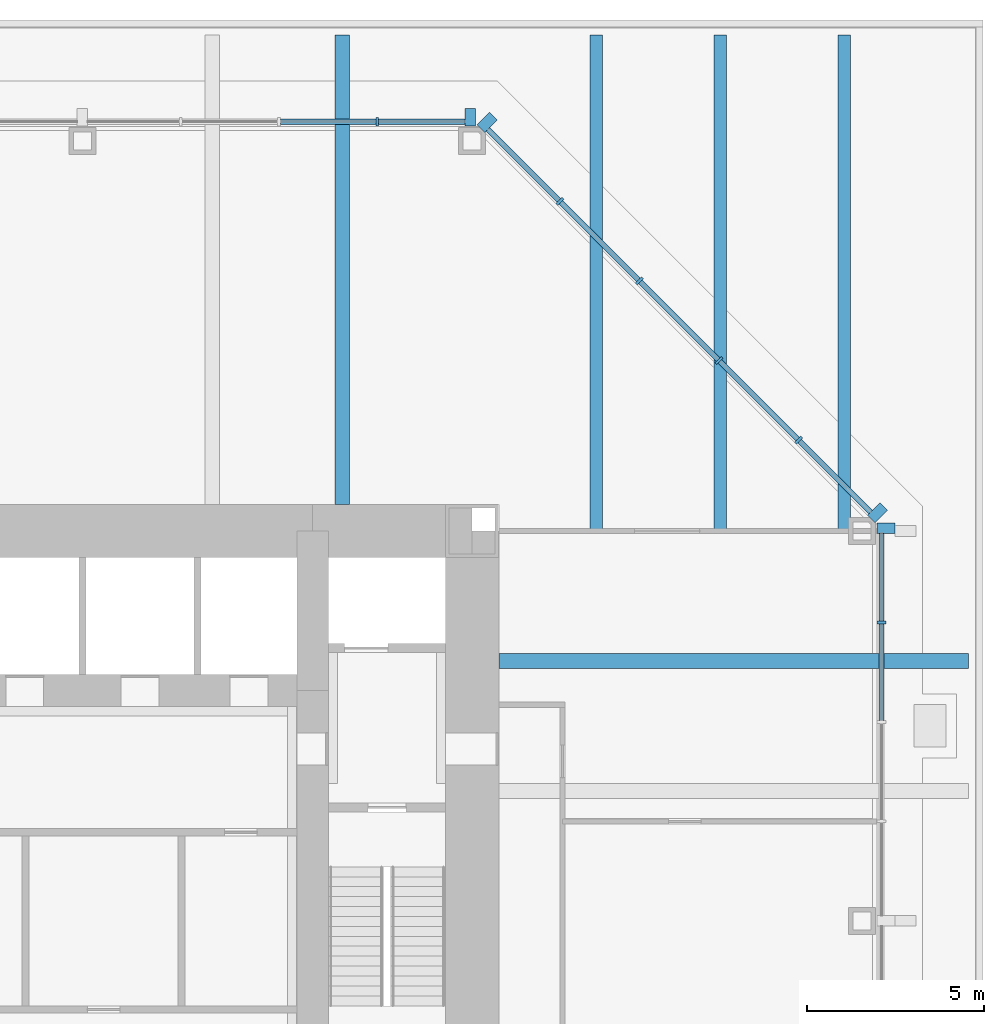
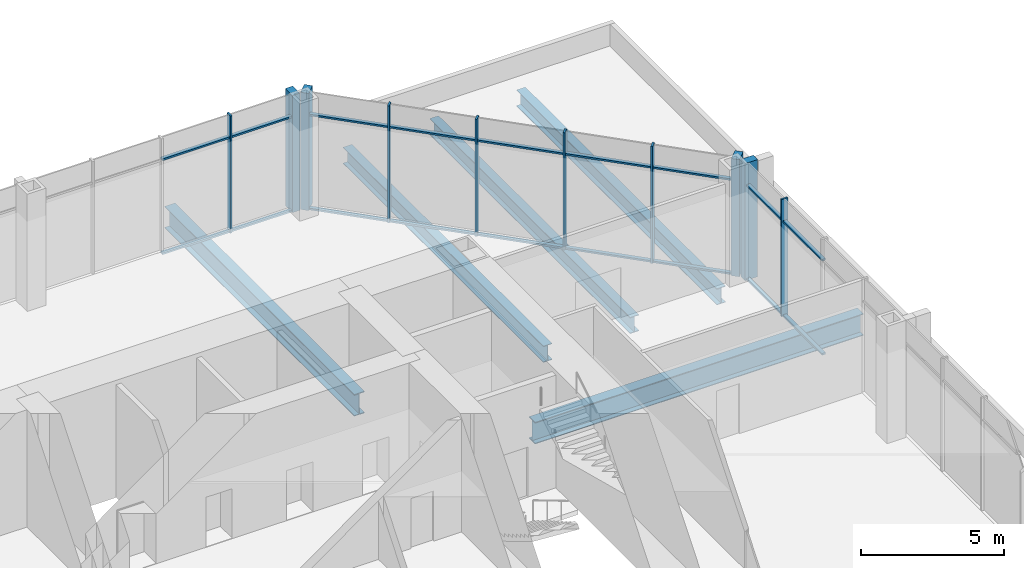
# One storey, part 5 of 11: 28 members, 5 beams, 3 elements without a shape of their own.
"""IFC4 building model written with IfcOpenShell, lengths in metres."""

from ifc_helpers import new_model, si_unit, direction, frame, origin, origin_2d, place, context, subcontext, project, spatial, rectangle, i_section, extrude, material, material_profile, profile_set, type_object, element, aggregate, save


model = new_model("IFC4")

# Units and contexts
model_context = context("Model", 3, precision=1e-05, world=origin(), true_north=direction((0.0, 1.0)))
body_context = subcontext(model_context, "Body", "Model", "MODEL_VIEW")
ifc_project = project(units=[si_unit("LENGTHUNIT", "METRE"), si_unit("AREAUNIT", "SQUARE_METRE"), si_unit("VOLUMEUNIT", "CUBIC_METRE"), si_unit("PLANEANGLEUNIT", "RADIAN"), si_unit("MASSUNIT", "GRAM", prefix="KILO")], contexts=[model_context])

# Site, building, storey
site_placement = place(None, origin())
site = spatial("IfcSite", under=ifc_project, at=site_placement, CompositionType="ELEMENT")
building_placement = place(site_placement, origin())
building = spatial("IfcBuilding", under=site, at=building_placement, Name="Trevanion Tower", CompositionType="ELEMENT")
storey_placement = place(building_placement, frame((0.0, 0.0, 95.800048828125)))
storey = spatial("IfcBuildingStorey", under=building, at=storey_placement, Name="L22", CompositionType="ELEMENT", Elevation=95.800048828125)

# Beams
ifc_material_1 = material(Name="Steel ASTM A992 Grade 50", Category="steel")
ifc_material_profile_1 = material_profile(ifc_material_1, i_section(OverallWidth=0.419189453125, OverallDepth=0.927001953125, WebThickness=0.019287109375, FlangeThickness=0.031982421875, at=origin_2d()), Name="W36X231")
ifc_profile_set_1 = profile_set([ifc_material_profile_1], Name="Steel ASTM A992 Grade 50")
beam_type_1 = type_object("IfcBeamType", Name="B5 W36X231", PredefinedType="BEAM", material=ifc_profile_set_1)
for number, where, z_axis, x_axis, name in (
    (1, (11.75, 7.333251953125, -0.653564453125), (1.0, 0.0, 0.0), (0.0, 1.0, 0.0), "B5 L22"),
    (2, (7.333251953125, 11.75, -0.653564453125), (0.0, 1.0, 0.0), (-1.0, 0.0, 0.0), "B5 L22"),
):
    element("IfcBeam", number, at=place(storey_placement, frame(where, z_axis=z_axis, x_axis=x_axis)), inside=storey, type_object=beam_type_1, Name=name, PredefinedType="BEAM", context=body_context, shape_type="SweptSolid", body=[
        extrude(i_section(OverallWidth=0.419189453125, OverallDepth=0.927001953125, WebThickness=0.019287109375, FlangeThickness=0.031982421875, at=origin_2d()), origin(), (0.0, 0.0, 1.0), 13.25),
    ])
ifc_material_2 = material(Name="Steel ASTM A992 Grade 50", Category="steel")
ifc_material_profile_2 = material_profile(ifc_material_2, i_section(OverallWidth=0.355712890625, OverallDepth=0.696044921875, WebThickness=0.015380859375, FlangeThickness=0.024658203125, at=origin_2d()), Name="W27X146")
ifc_profile_set_2 = profile_set([ifc_material_profile_2], Name="Steel ASTM A992 Grade 50")
beam_type_2 = type_object("IfcBeamType", Name="B6 W27X146", PredefinedType="BEAM", material=ifc_profile_set_2)
for number, where, z_axis, x_axis, name in (
    (3, (14.5, 11.0, -0.5380859375), (0.0, 1.0, 0.0), (-1.0, 0.0, 0.0), "B6 L22"),
    (4, (18.0, 11.0, -0.5380859375), (0.0, 1.0, 0.0), (-1.0, 0.0, 0.0), "B6 L22"),
    (5, (21.5, 11.0, -0.5380859375), (0.0, 1.0, 0.0), (-1.0, 0.0, 0.0), "B6 L22"),
):
    element("IfcBeam", number, at=place(storey_placement, frame(where, z_axis=z_axis, x_axis=x_axis)), inside=storey, type_object=beam_type_2, Name=name, PredefinedType="BEAM", context=body_context, shape_type="SweptSolid", body=[
        extrude(i_section(OverallWidth=0.355712890625, OverallDepth=0.696044921875, WebThickness=0.015380859375, FlangeThickness=0.024658203125, at=origin_2d()), origin(), (0.0, 0.0, 1.0), 14.0),
    ])

# Curtain wall, member
ifc_material_3 = material(Name="Aluminium and glass", Category="aluminium")
curtain_wall_type = type_object("IfcCurtainWallType", Name="CW2 curtain wall", PredefinedType="USERDEFINED", material=ifc_material_3)
curtain_wall_1_placement = place(storey_placement, origin())
curtain_wall_1 = element("IfcCurtainWall", 6, at=curtain_wall_1_placement, inside=storey, type_object=curtain_wall_type, Name="CW2 L22 0", ObjectType="UNITISED CURTAIN WALL", PredefinedType="USERDEFINED")
ifc_material_4 = material(Name="Aluminium extrusion, anodised bronze", Category="aluminium")
ifc_material_profile_3 = material_profile(ifc_material_4, rectangle(XDim=0.074951171875, YDim=0.25, at=origin_2d()), Name="CW2 mullion")
ifc_profile_set_3 = profile_set([ifc_material_profile_3], Name="Aluminium extrusion, anodised bronze")
member_type_1 = type_object("IfcMemberType", Name="CW2 mullion", PredefinedType="MULLION", material=ifc_profile_set_3)
member_1_placement = place(storey_placement, frame((22.550048828125, 8.4208984375, -0.18994140625), z_axis=(0.0, 0.0, 1.0), x_axis=(0.0, 1.0, 0.0)))
member_1 = element("IfcMember", 7, at=member_1_placement, type_object=member_type_1, Name="CW2 mullion 8", PredefinedType="MULLION", context=body_context, shape_type="SweptSolid", body=[
    extrude(rectangle(XDim=0.074951171875, YDim=0.25, at=origin_2d()), origin(), (0.0, 0.0, 1.0), 5.0),
])

# Curtain wall, members
curtain_wall_2_placement = place(storey_placement, origin())
curtain_wall_2 = element("IfcCurtainWall", 8, at=curtain_wall_2_placement, inside=storey, type_object=curtain_wall_type, Name="CW2 L22 1", ObjectType="UNITISED CURTAIN WALL", PredefinedType="USERDEFINED")
member_2_placement = place(storey_placement, frame((20.2119140625, 13.56591796875, -0.18994140625), z_axis=(0.0, 0.0, 1.0), x_axis=(-0.707106781187, 0.707106781187, 0.0)))
member_2 = element("IfcMember", 9, at=member_2_placement, type_object=member_type_1, Name="CW2 mullion 2", PredefinedType="MULLION", context=body_context, shape_type="SweptSolid", body=[
    extrude(rectangle(XDim=0.074951171875, YDim=0.25, at=origin_2d()), origin(), (0.0, 0.0, 1.0), 5.0),
])
member_3_placement = place(storey_placement, frame((17.966064453125, 15.811767578125, -0.18994140625), z_axis=(0.0, 0.0, 1.0), x_axis=(-0.707106781187, 0.707106781187, 0.0)))
member_3 = element("IfcMember", 10, at=member_3_placement, type_object=member_type_1, Name="CW2 mullion 3", PredefinedType="MULLION", context=body_context, shape_type="SweptSolid", body=[
    extrude(rectangle(XDim=0.074951171875, YDim=0.25, at=origin_2d()), origin(), (0.0, 0.0, 1.0), 5.0),
])
member_4_placement = place(storey_placement, frame((15.719970703125, 18.057861328125, -0.18994140625), z_axis=(0.0, 0.0, 1.0), x_axis=(-0.707106781187, 0.707106781187, 0.0)))
member_4 = element("IfcMember", 11, at=member_4_placement, type_object=member_type_1, Name="CW2 mullion 4", PredefinedType="MULLION", context=body_context, shape_type="SweptSolid", body=[
    extrude(rectangle(XDim=0.074951171875, YDim=0.25, at=origin_2d()), origin(), (0.0, 0.0, 1.0), 5.0),
])
member_5_placement = place(storey_placement, frame((13.473876953125, 20.303955078125, -0.18994140625), z_axis=(0.0, 0.0, 1.0), x_axis=(-0.707106781187, 0.707106781187, 0.0)))
member_5 = element("IfcMember", 12, at=member_5_placement, type_object=member_type_1, Name="CW2 mullion 5", PredefinedType="MULLION", context=body_context, shape_type="SweptSolid", body=[
    extrude(rectangle(XDim=0.074951171875, YDim=0.25, at=origin_2d()), origin(), (0.0, 0.0, 1.0), 5.0),
])

# Curtain wall, member
curtain_wall_3_placement = place(storey_placement, origin())
curtain_wall_3 = element("IfcCurtainWall", 13, at=curtain_wall_3_placement, inside=storey, type_object=curtain_wall_type, Name="CW2 L22 2", ObjectType="UNITISED CURTAIN WALL", PredefinedType="USERDEFINED")
member_6_placement = place(storey_placement, frame((8.323486328125, 22.550048828125, -0.18994140625), z_axis=(0.0, 0.0, 1.0), x_axis=(-1.0, 0.0, 0.0)))
member_6 = element("IfcMember", 14, at=member_6_placement, type_object=member_type_1, Name="CW2 mullion 2", PredefinedType="MULLION", context=body_context, shape_type="SweptSolid", body=[
    extrude(rectangle(XDim=0.074951171875, YDim=0.25, at=origin_2d()), origin(), (0.0, 0.0, 1.0), 5.0),
])

# Member
ifc_material_5 = material(Name="Aluminium extrusion, anodised bronze", Category="aluminium")
ifc_material_profile_4 = material_profile(ifc_material_5, rectangle(XDim=0.300048828125, YDim=0.5, at=origin_2d()), Name="CW2 pier mullion")
ifc_profile_set_4 = profile_set([ifc_material_profile_4], Name="Aluminium extrusion, anodised bronze")
member_type_2 = type_object("IfcMemberType", Name="CW2 pier mullion", PredefinedType="MULLION", material=ifc_profile_set_4)
member_7_placement = place(storey_placement, frame((22.675048828125, 11.077880859375, -0.18994140625), z_axis=(0.0, 0.0, 1.0), x_axis=(0.0, 1.0, 0.0)))
member_7 = element("IfcMember", 15, at=member_7_placement, type_object=member_type_2, Name="CW2 pier mullion 9", PredefinedType="MULLION", context=body_context, shape_type="SweptSolid", body=[
    extrude(rectangle(XDim=0.300048828125, YDim=0.5, at=origin_2d()), origin(), (0.0, 0.0, 1.0), 5.0),
])

member_8_placement = place(storey_placement, frame((22.4404296875, 11.51416015625, -0.18994140625), z_axis=(0.0, 0.0, 1.0), x_axis=(-0.707106781187, 0.707106781187, 0.0)))
member_8 = element("IfcMember", 16, at=member_8_placement, type_object=member_type_2, Name="CW2 pier mullion 1", PredefinedType="MULLION", context=body_context, shape_type="SweptSolid", body=[
    extrude(rectangle(XDim=0.300048828125, YDim=0.5, at=origin_2d()), origin(), (0.0, 0.0, 1.0), 5.0),
])

member_9_placement = place(storey_placement, frame((11.42236328125, 22.5322265625, -0.18994140625), z_axis=(0.0, 0.0, 1.0), x_axis=(-0.707106781187, 0.707106781187, 0.0)))
member_9 = element("IfcMember", 17, at=member_9_placement, type_object=member_type_2, Name="CW2 pier mullion 6", PredefinedType="MULLION", context=body_context, shape_type="SweptSolid", body=[
    extrude(rectangle(XDim=0.300048828125, YDim=0.5, at=origin_2d()), origin(), (0.0, 0.0, 1.0), 5.0),
])

member_10_placement = place(storey_placement, frame((10.94775390625, 22.675048828125, -0.18994140625), z_axis=(0.0, 0.0, 1.0), x_axis=(-1.0, 0.0, 0.0)))
member_10 = element("IfcMember", 18, at=member_10_placement, type_object=member_type_2, Name="CW2 pier mullion 1", PredefinedType="MULLION", context=body_context, shape_type="SweptSolid", body=[
    extrude(rectangle(XDim=0.300048828125, YDim=0.5, at=origin_2d()), origin(), (0.0, 0.0, 1.0), 5.0),
])

ifc_material_6 = material(Name="Aluminium extrusion, anodised bronze", Category="aluminium")
ifc_material_profile_5 = material_profile(ifc_material_6, rectangle(XDim=0.14990234375, YDim=0.074951171875, at=origin_2d()), Name="CW2 transom")
ifc_profile_set_5 = profile_set([ifc_material_profile_5], Name="Aluminium extrusion, anodised bronze")
member_type_3 = type_object("IfcMemberType", Name="CW2 transom", PredefinedType="USERDEFINED", material=ifc_profile_set_5)
member_11_placement = place(storey_placement, frame((22.550048828125, 5.6513671875, -0.152587890625), z_axis=(0.0, 1.0, 0.0), x_axis=(-1.0, 0.0, 0.0)))
member_11 = element("IfcMember", 19, at=member_11_placement, type_object=member_type_3, Name="CW2 transom 7.1", ObjectType="TRANSOM", PredefinedType="USERDEFINED", context=body_context, shape_type="SweptSolid", body=[
    extrude(rectangle(XDim=0.14990234375, YDim=0.074951171875, at=origin_2d()), origin(), (0.0, 0.0, 1.0), 2.73193359375),
])

member_12_placement = place(storey_placement, frame((22.550048828125, 5.6513671875, 3.85986328125), z_axis=(0.0, 1.0, 0.0), x_axis=(-1.0, 0.0, 0.0)))
member_12 = element("IfcMember", 20, at=member_12_placement, type_object=member_type_3, Name="CW2 transom 7.2", ObjectType="TRANSOM", PredefinedType="USERDEFINED", context=body_context, shape_type="SweptSolid", body=[
    extrude(rectangle(XDim=0.14990234375, YDim=0.074951171875, at=origin_2d()), origin(), (0.0, 0.0, 1.0), 2.73193359375),
])

member_13_placement = place(storey_placement, frame((22.550048828125, 8.45849609375, -0.152587890625), z_axis=(0.0, 1.0, 0.0), x_axis=(-1.0, 0.0, 0.0)))
member_13 = element("IfcMember", 21, at=member_13_placement, type_object=member_type_3, Name="CW2 transom 8.1", ObjectType="TRANSOM", PredefinedType="USERDEFINED", context=body_context, shape_type="SweptSolid", body=[
    extrude(rectangle(XDim=0.14990234375, YDim=0.074951171875, at=origin_2d()), origin(), (0.0, 0.0, 1.0), 2.46923828125),
])

member_14_placement = place(storey_placement, frame((22.550048828125, 8.45849609375, 3.85986328125), z_axis=(0.0, 1.0, 0.0), x_axis=(-1.0, 0.0, 0.0)))
member_14 = element("IfcMember", 22, at=member_14_placement, type_object=member_type_3, Name="CW2 transom 8.2", ObjectType="TRANSOM", PredefinedType="USERDEFINED", context=body_context, shape_type="SweptSolid", body=[
    extrude(rectangle(XDim=0.14990234375, YDim=0.074951171875, at=origin_2d()), origin(), (0.0, 0.0, 1.0), 2.46923828125),
])

aggregate(curtain_wall_1, [member_1, member_7, member_11, member_12, member_13, member_14])

member_15_placement = place(storey_placement, frame((22.245849609375, 11.531982421875, -0.152587890625), z_axis=(-0.707106781187, 0.707106781187, 0.0), x_axis=(-0.707106781187, -0.707106781187, 0.0)))
member_15 = element("IfcMember", 23, at=member_15_placement, type_object=member_type_3, Name="CW2 transom 1.1", ObjectType="TRANSOM", PredefinedType="USERDEFINED", context=body_context, shape_type="SweptSolid", body=[
    extrude(rectangle(XDim=0.14990234375, YDim=0.074951171875, at=origin_2d()), origin(), (0.0, 0.0, 1.0), 2.8388671875),
])

member_16_placement = place(storey_placement, frame((22.245849609375, 11.531982421875, 3.85986328125), z_axis=(-0.707106781187, 0.707106781187, 0.0), x_axis=(-0.707106781187, -0.707106781187, 0.0)))
member_16 = element("IfcMember", 24, at=member_16_placement, type_object=member_type_3, Name="CW2 transom 1.2", ObjectType="TRANSOM", PredefinedType="USERDEFINED", context=body_context, shape_type="SweptSolid", body=[
    extrude(rectangle(XDim=0.14990234375, YDim=0.074951171875, at=origin_2d()), origin(), (0.0, 0.0, 1.0), 2.8388671875),
])

member_17_placement = place(storey_placement, frame((20.185546875, 13.59228515625, -0.152587890625), z_axis=(-0.707106781187, 0.707106781187, 0.0), x_axis=(-0.707106781187, -0.707106781187, 0.0)))
member_17 = element("IfcMember", 25, at=member_17_placement, type_object=member_type_3, Name="CW2 transom 2.1", ObjectType="TRANSOM", PredefinedType="USERDEFINED", context=body_context, shape_type="SweptSolid", body=[
    extrude(rectangle(XDim=0.14990234375, YDim=0.074951171875, at=origin_2d()), origin(), (0.0, 0.0, 1.0), 3.1015625),
])

member_18_placement = place(storey_placement, frame((20.185546875, 13.59228515625, 3.85986328125), z_axis=(-0.707106781187, 0.707106781187, 0.0), x_axis=(-0.707106781187, -0.707106781187, 0.0)))
member_18 = element("IfcMember", 26, at=member_18_placement, type_object=member_type_3, Name="CW2 transom 2.2", ObjectType="TRANSOM", PredefinedType="USERDEFINED", context=body_context, shape_type="SweptSolid", body=[
    extrude(rectangle(XDim=0.14990234375, YDim=0.074951171875, at=origin_2d()), origin(), (0.0, 0.0, 1.0), 3.1015625),
])

member_19_placement = place(storey_placement, frame((17.939453125, 15.83837890625, -0.152587890625), z_axis=(-0.707106781187, 0.707106781187, 0.0), x_axis=(-0.707106781187, -0.707106781187, 0.0)))
member_19 = element("IfcMember", 27, at=member_19_placement, type_object=member_type_3, Name="CW2 transom 3.1", ObjectType="TRANSOM", PredefinedType="USERDEFINED", context=body_context, shape_type="SweptSolid", body=[
    extrude(rectangle(XDim=0.14990234375, YDim=0.074951171875, at=origin_2d()), origin(), (0.0, 0.0, 1.0), 3.1015625),
])

member_20_placement = place(storey_placement, frame((17.939453125, 15.83837890625, 3.85986328125), z_axis=(-0.707106781187, 0.707106781187, 0.0), x_axis=(-0.707106781187, -0.707106781187, 0.0)))
member_20 = element("IfcMember", 28, at=member_20_placement, type_object=member_type_3, Name="CW2 transom 3.2", ObjectType="TRANSOM", PredefinedType="USERDEFINED", context=body_context, shape_type="SweptSolid", body=[
    extrude(rectangle(XDim=0.14990234375, YDim=0.074951171875, at=origin_2d()), origin(), (0.0, 0.0, 1.0), 3.1015625),
])

member_21_placement = place(storey_placement, frame((15.693359375, 18.08447265625, -0.152587890625), z_axis=(-0.707106781187, 0.707106781187, 0.0), x_axis=(-0.707106781187, -0.707106781187, 0.0)))
member_21 = element("IfcMember", 29, at=member_21_placement, type_object=member_type_3, Name="CW2 transom 4.1", ObjectType="TRANSOM", PredefinedType="USERDEFINED", context=body_context, shape_type="SweptSolid", body=[
    extrude(rectangle(XDim=0.14990234375, YDim=0.074951171875, at=origin_2d()), origin(), (0.0, 0.0, 1.0), 3.10107421875),
])

member_22_placement = place(storey_placement, frame((15.693359375, 18.08447265625, 3.85986328125), z_axis=(-0.707106781187, 0.707106781187, 0.0), x_axis=(-0.707106781187, -0.707106781187, 0.0)))
member_22 = element("IfcMember", 30, at=member_22_placement, type_object=member_type_3, Name="CW2 transom 4.2", ObjectType="TRANSOM", PredefinedType="USERDEFINED", context=body_context, shape_type="SweptSolid", body=[
    extrude(rectangle(XDim=0.14990234375, YDim=0.074951171875, at=origin_2d()), origin(), (0.0, 0.0, 1.0), 3.10107421875),
])

member_23_placement = place(storey_placement, frame((13.447509765625, 20.33056640625, -0.152587890625), z_axis=(-0.707149778163, 0.707063781595, 0.0), x_axis=(-0.707063781595, -0.707149778163, 0.0)))
member_23 = element("IfcMember", 31, at=member_23_placement, type_object=member_type_3, Name="CW2 transom 5.1", ObjectType="TRANSOM", PredefinedType="USERDEFINED", context=body_context, shape_type="SweptSolid", body=[
    extrude(rectangle(XDim=0.14990234375, YDim=0.074951171875, at=origin_2d()), origin(), (0.0, 0.0, 1.0), 2.8388671875),
])

member_24_placement = place(storey_placement, frame((13.447509765625, 20.33056640625, 3.85986328125), z_axis=(-0.707149778163, 0.707063781595, 0.0), x_axis=(-0.707063781595, -0.707149778163, 0.0)))
member_24 = element("IfcMember", 32, at=member_24_placement, type_object=member_type_3, Name="CW2 transom 5.2", ObjectType="TRANSOM", PredefinedType="USERDEFINED", context=body_context, shape_type="SweptSolid", body=[
    extrude(rectangle(XDim=0.14990234375, YDim=0.074951171875, at=origin_2d()), origin(), (0.0, 0.0, 1.0), 2.8388671875),
])

aggregate(curtain_wall_2, [member_8, member_2, member_3, member_4, member_5, member_9, member_15, member_16, member_17, member_18, member_19, member_20, member_21, member_22, member_23, member_24])

member_25_placement = place(storey_placement, frame((10.7978515625, 22.550048828125, -0.152587890625), z_axis=(-1.0, 0.0, 0.0), x_axis=(0.0, -1.0, 0.0)))
member_25 = element("IfcMember", 33, at=member_25_placement, type_object=member_type_3, Name="CW2 transom 1.1", ObjectType="TRANSOM", PredefinedType="USERDEFINED", context=body_context, shape_type="SweptSolid", body=[
    extrude(rectangle(XDim=0.14990234375, YDim=0.074951171875, at=origin_2d()), origin(), (0.0, 0.0, 1.0), 2.43701171875),
])

member_26_placement = place(storey_placement, frame((10.7978515625, 22.550048828125, 3.85986328125), z_axis=(-1.0, 0.0, 0.0), x_axis=(0.0, -1.0, 0.0)))
member_26 = element("IfcMember", 34, at=member_26_placement, type_object=member_type_3, Name="CW2 transom 1.2", ObjectType="TRANSOM", PredefinedType="USERDEFINED", context=body_context, shape_type="SweptSolid", body=[
    extrude(rectangle(XDim=0.14990234375, YDim=0.074951171875, at=origin_2d()), origin(), (0.0, 0.0, 1.0), 2.43701171875),
])

member_27_placement = place(storey_placement, frame((8.285888671875, 22.550048828125, -0.152587890625), z_axis=(-1.0, 0.0, 0.0), x_axis=(0.0, -1.0, 0.0)))
member_27 = element("IfcMember", 35, at=member_27_placement, type_object=member_type_3, Name="CW2 transom 2.1", ObjectType="TRANSOM", PredefinedType="USERDEFINED", context=body_context, shape_type="SweptSolid", body=[
    extrude(rectangle(XDim=0.14990234375, YDim=0.074951171875, at=origin_2d()), origin(), (0.0, 0.0, 1.0), 2.699462890625),
])

member_28_placement = place(storey_placement, frame((8.285888671875, 22.550048828125, 3.85986328125), z_axis=(-1.0, 0.0, 0.0), x_axis=(0.0, -1.0, 0.0)))
member_28 = element("IfcMember", 36, at=member_28_placement, type_object=member_type_3, Name="CW2 transom 2.2", ObjectType="TRANSOM", PredefinedType="USERDEFINED", context=body_context, shape_type="SweptSolid", body=[
    extrude(rectangle(XDim=0.14990234375, YDim=0.074951171875, at=origin_2d()), origin(), (0.0, 0.0, 1.0), 2.699462890625),
])

aggregate(curtain_wall_3, [member_10, member_6, member_25, member_26, member_27, member_28])

save(model, "model.ifc")
